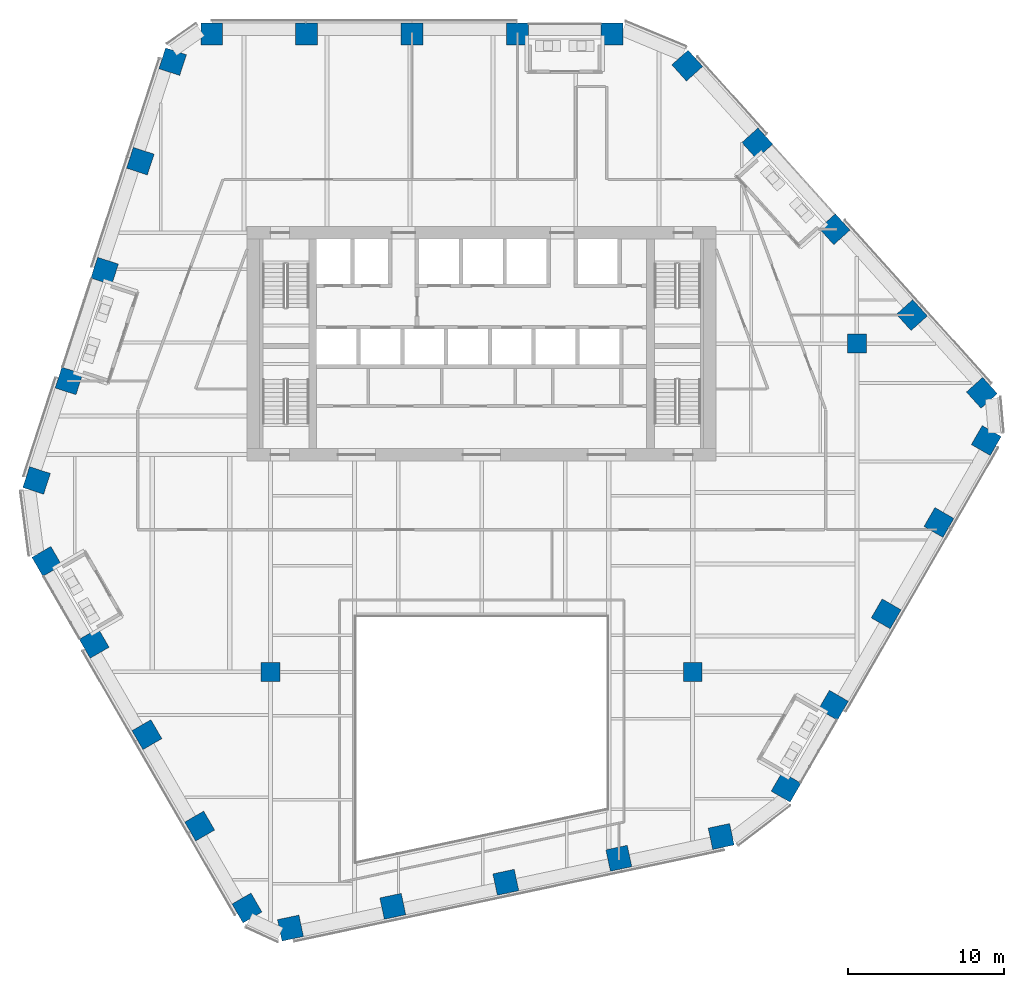
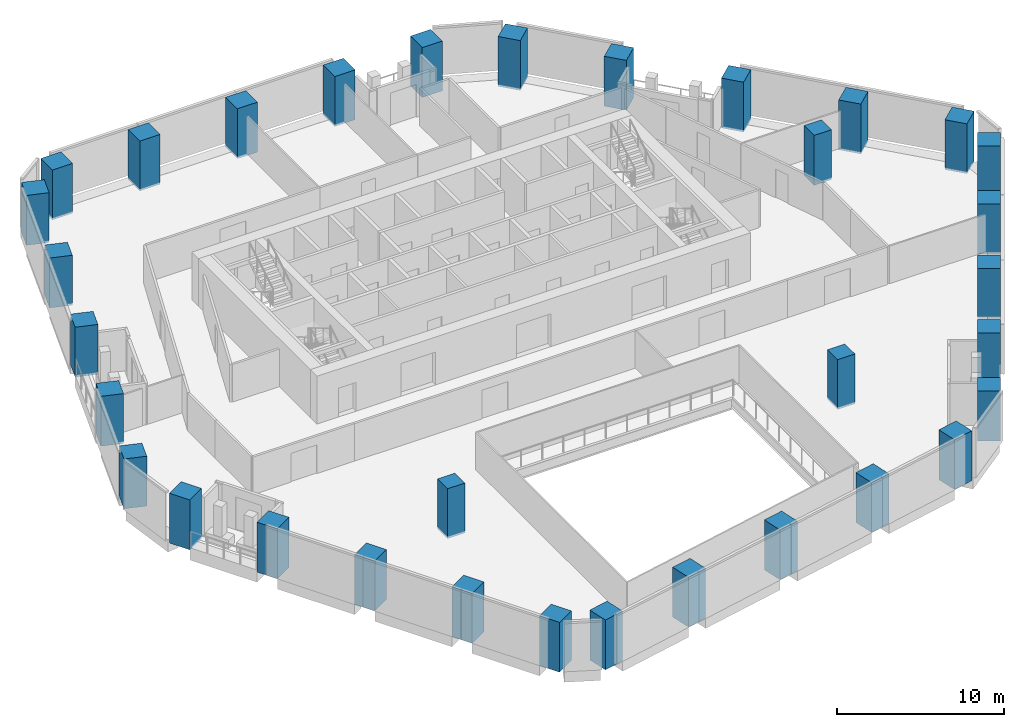
# One storey, part 1 of 24: 33 columns.
"""IFC4 building model written with IfcOpenShell, lengths in metres."""

from ifc_helpers import new_model, si_unit, direction, frame, origin, origin_2d, place, context, subcontext, project, spatial, rectangle, extrude, material, material_profile, profile_set, type_object, element, save


model = new_model("IFC4")

# Units and contexts
model_context = context("Model", 3, precision=1e-05, world=origin(), true_north=direction((0.0, 1.0)))
body_context = subcontext(model_context, "Body", "Model", "MODEL_VIEW")
ifc_project = project(units=[si_unit("LENGTHUNIT", "METRE"), si_unit("AREAUNIT", "SQUARE_METRE"), si_unit("VOLUMEUNIT", "CUBIC_METRE"), si_unit("PLANEANGLEUNIT", "RADIAN"), si_unit("MASSUNIT", "GRAM", prefix="KILO")], contexts=[model_context])

# Site, building, storey
site_placement = place(None, origin())
site = spatial("IfcSite", under=ifc_project, at=site_placement, CompositionType="ELEMENT")
building_placement = place(site_placement, origin())
building = spatial("IfcBuilding", under=site, at=building_placement, Name="Isthmus Gate Tower", CompositionType="ELEMENT")
storey_placement = place(building_placement, frame((0.0, 0.0, 159.0)))
storey = spatial("IfcBuildingStorey", under=building, at=storey_placement, Name="L39", CompositionType="ELEMENT", Elevation=159.0)

# Columns
ifc_material_1 = material(Name="Concrete f'c 60 MPa", Category="concrete")
ifc_material_profile_1 = material_profile(ifc_material_1, rectangle(XDim=1.199951171875, YDim=1.199951171875, at=origin_2d()), Name="RC 1200X1200")
ifc_profile_set_1 = profile_set([ifc_material_profile_1], Name="Concrete f'c 60 MPa")
column_type_1 = type_object("IfcColumnType", Name="RC INTERIOR COLUMN 1200 X 1200", PredefinedType="COLUMN", material=ifc_profile_set_1)
for number, where, z_axis, x_axis, name in (
    (1, (-13.5, -13.5, -0.14990234375), (0.0, 0.0, 1.0), (1.0, 0.0, 0.0), "str-icol-L39-ICB2"),
    (2, (13.5, -13.5, -0.14990234375), (0.0, 0.0, 1.0), (1.0, 0.0, 0.0), "str-icol-L39-ICD2"),
    (3, (24.0, 7.5, -0.14990234375), (0.0, 0.0, 1.0), (1.0, 0.0, 0.0), "str-icol-L39-ICE3"),
):
    element("IfcColumn", number, at=place(storey_placement, frame(where, z_axis=z_axis, x_axis=x_axis)), inside=storey, type_object=column_type_1, Name=name, PredefinedType="COLUMN", context=body_context, shape_type="SweptSolid", body=[
        extrude(rectangle(XDim=1.199951171875, YDim=1.199951171875, at=origin_2d()), origin(), (0.0, 0.0, 1.0), 3.64990234375),
    ])
ifc_material_2 = material(Name="Concrete f'c 60 MPa", Category="concrete")
ifc_material_profile_2 = material_profile(ifc_material_2, rectangle(XDim=1.39990234375, YDim=1.39990234375, at=origin_2d()), Name="RC 1400X1400")
ifc_profile_set_2 = profile_set([ifc_material_profile_2], Name="Concrete f'c 60 MPa")
column_type_2 = type_object("IfcColumnType", Name="RC TUBE COLUMN 1400 X 1400", PredefinedType="COLUMN", material=ifc_profile_set_2)
for number, where, z_axis, x_axis, name in (
    (4, (8.338623046875, 27.300048828125, -0.14990234375), (0.0, 0.0, 1.0), (-1.0, 0.0, 0.0), "str-tcol-L39-T2N0"),
    (5, (2.288330078125, 27.300048828125, -0.14990234375), (0.0, 0.0, 1.0), (-1.0, 0.0, 0.0), "str-tcol-L39-T2N1"),
    (6, (-4.461669921875, 27.300048828125, -0.14990234375), (0.0, 0.0, 1.0), (-1.0, 0.0, 0.0), "str-tcol-L39-T2N2"),
    (7, (-11.2119140625, 27.300048828125, -0.14990234375), (0.0, 0.0, 1.0), (-1.0, 0.0, 0.0), "str-tcol-L39-T2N3"),
    (8, (-17.261962890625, 27.300048828125, -0.14990234375), (0.0, 0.0, 1.0), (-1.0, 0.0, 0.0), "str-tcol-L39-T2N4"),
    (9, (-19.765380859375, 25.532958984375, -0.14990234375), (0.0, 0.0, 1.0), (-0.309016994375, -0.951056516295, 0.0), "str-tcol-L39-T2NW0"),
    (10, (-21.8330078125, 19.169677734375, -0.14990234375), (0.0, 0.0, 1.0), (-0.309016994375, -0.951056516295, 0.0), "str-tcol-L39-T2NW1"),
    (11, (-24.116943359375, 12.140625, -0.14990234375), (0.0, 0.0, 1.0), (-0.309016994375, -0.951056516295, 0.0), "str-tcol-L39-T2NW2"),
    (12, (-26.400634765625, 5.111328125, -0.14990234375), (0.0, 0.0, 1.0), (-0.309016994375, -0.951056516295, 0.0), "str-tcol-L39-T2NW3"),
    (13, (-28.46826171875, -1.251953125, -0.14990234375), (0.0, 0.0, 1.0), (-0.309016994375, -0.951056516295, 0.0), "str-tcol-L39-T2NW4"),
    (14, (-27.811767578125, -6.4287109375, -0.14990234375), (0.0, 0.0, 1.0), (0.5, -0.866025403784, 0.0), "str-tcol-L39-T2SW0"),
    (15, (-24.78662109375, -11.668212890625, -0.14990234375), (0.0, 0.0, 1.0), (0.5, -0.866025403784, 0.0), "str-tcol-L39-T2SW1"),
    (16, (-21.41162109375, -17.513916015625, -0.14990234375), (0.0, 0.0, 1.0), (0.5, -0.866025403784, 0.0), "str-tcol-L39-T2SW2"),
    (17, (-18.03662109375, -23.359619140625, -0.14990234375), (0.0, 0.0, 1.0), (0.5, -0.866025403784, 0.0), "str-tcol-L39-T2SW3"),
    (18, (-15.011474609375, -28.599365234375, -0.14990234375), (0.0, 0.0, 1.0), (0.5, -0.866025403784, 0.0), "str-tcol-L39-T2SW4"),
    (19, (-12.2294921875, -29.8837890625, -0.14990234375), (0.0, 0.0, 1.0), (0.978147600734, 0.207911690818, 0.0), "str-tcol-L39-T2S0"),
    (20, (-5.684814453125, -28.49267578125, -0.14990234375), (0.0, 0.0, 1.0), (0.978147600734, 0.207911690818, 0.0), "str-tcol-L39-T2S1"),
    (21, (1.54443359375, -26.9560546875, -0.14990234375), (0.0, 0.0, 1.0), (0.978147600734, 0.207911690818, 0.0), "str-tcol-L39-T2S2"),
    (22, (8.773681640625, -25.41943359375, -0.14990234375), (0.0, 0.0, 1.0), (0.978147600734, 0.207911690818, 0.0), "str-tcol-L39-T2S3"),
    (23, (15.318359375, -24.0283203125, -0.14990234375), (0.0, 0.0, 1.0), (0.978147600734, 0.207911690818, 0.0), "str-tcol-L39-T2S4"),
    (24, (19.47314453125, -20.871337890625, -0.14990234375), (0.0, 0.0, 1.0), (0.5, 0.866025403784, 0.0), "str-tcol-L39-T2SE0"),
    (25, (22.498291015625, -15.6318359375, -0.14990234375), (0.0, 0.0, 1.0), (0.5, 0.866025403784, 0.0), "str-tcol-L39-T2SE1"),
    (26, (25.873291015625, -9.7861328125, -0.14990234375), (0.0, 0.0, 1.0), (0.5, 0.866025403784, 0.0), "str-tcol-L39-T2SE2"),
    (27, (29.248291015625, -3.940185546875, -0.14990234375), (0.0, 0.0, 1.0), (0.5, 0.866025403784, 0.0), "str-tcol-L39-T2SE3"),
    (28, (32.2734375, 1.29931640625, -0.14990234375), (0.0, 0.0, 1.0), (0.5, 0.866025403784, 0.0), "str-tcol-L39-T2SE4"),
    (29, (31.994873046875, 4.350830078125, -0.14990234375), (0.0, 0.0, 1.0), (-0.669130606359, 0.743144825477, 0.0), "str-tcol-L39-T2NE0"),
    (30, (27.517822265625, 9.3232421875, -0.14990234375), (0.0, 0.0, 1.0), (-0.669130606359, 0.743144825477, 0.0), "str-tcol-L39-T2NE1"),
    (31, (22.572509765625, 14.815673828125, -0.14990234375), (0.0, 0.0, 1.0), (-0.669130606359, 0.743144825477, 0.0), "str-tcol-L39-T2NE2"),
    (32, (17.626953125, 20.30810546875, -0.14990234375), (0.0, 0.0, 1.0), (-0.669130606359, 0.743144825477, 0.0), "str-tcol-L39-T2NE3"),
    (33, (13.14990234375, 25.2802734375, -0.14990234375), (0.0, 0.0, 1.0), (-0.669130606359, 0.743144825477, 0.0), "str-tcol-L39-T2NE4"),
):
    element("IfcColumn", number, at=place(storey_placement, frame(where, z_axis=z_axis, x_axis=x_axis)), inside=storey, type_object=column_type_2, Name=name, PredefinedType="COLUMN", context=body_context, shape_type="SweptSolid", body=[
        extrude(rectangle(XDim=1.39990234375, YDim=1.39990234375, at=origin_2d()), origin(), (0.0, 0.0, 1.0), 3.64990234375),
    ])

save(model, "model.ifc")
